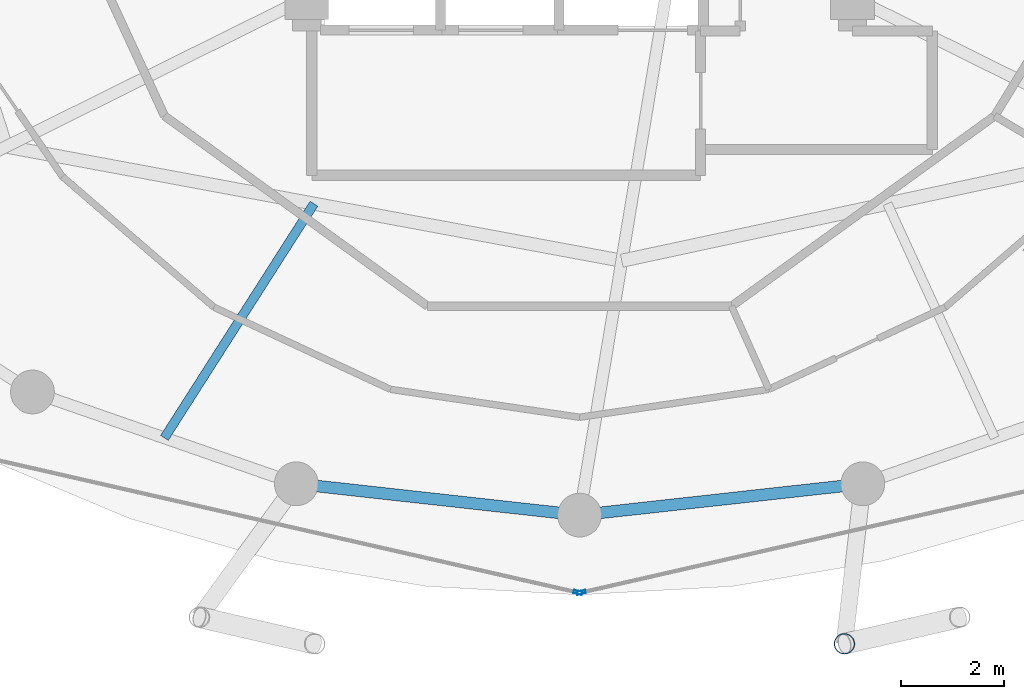
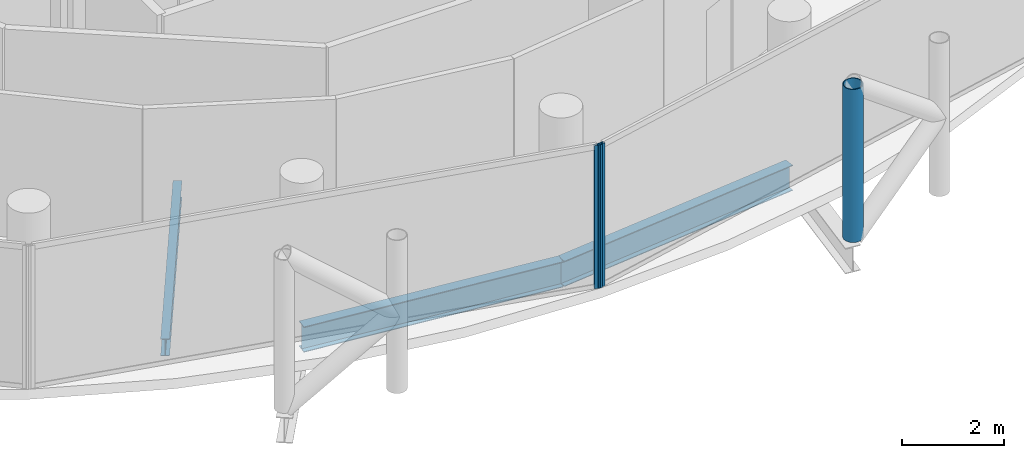
# One storey, part 5 of 27: 3 beams, 3 members, 2 elements without a shape of their own.
"""IFC4 building model written with IfcOpenShell, lengths in metres."""

from ifc_helpers import new_model, si_unit, direction, frame, origin, origin_2d, place, context, subcontext, project, spatial, hollow_rectangle, hollow_circle, i_section, extrude, material, layer, layer_set, material_profile, profile_set, type_object, element, aggregate, save


model = new_model("IFC4")

# Units and contexts
model_context = context("Model", 3, precision=1e-05, world=origin(), true_north=direction((0.0, 1.0)))
body_context = subcontext(model_context, "Body", "Model", "MODEL_VIEW")
ifc_project = project(units=[si_unit("LENGTHUNIT", "METRE"), si_unit("AREAUNIT", "SQUARE_METRE"), si_unit("VOLUMEUNIT", "CUBIC_METRE"), si_unit("PLANEANGLEUNIT", "RADIAN"), si_unit("MASSUNIT", "GRAM", prefix="KILO")], contexts=[model_context])

# Site, building, storey
site_placement = place(None, origin())
site = spatial("IfcSite", under=ifc_project, at=site_placement, CompositionType="ELEMENT")
building_placement = place(site_placement, origin())
building = spatial("IfcBuilding", under=site, at=building_placement, Name="Nuhasar Tower", CompositionType="ELEMENT")
storey_placement = place(building_placement, frame((0.0, 0.0, 211.800048828125)))
storey = spatial("IfcBuildingStorey", under=building, at=storey_placement, Name="L51", CompositionType="ELEMENT", Elevation=211.800048828125)

# Beams
ifc_material_1 = material(Name="Steel S355", Category="steel")
ifc_material_profile_1 = material_profile(ifc_material_1, i_section(OverallWidth=0.177978515625, OverallDepth=0.406005859375, WebThickness=0.0078125, FlangeThickness=0.0126953125, at=origin_2d()), Name="W16X40")
ifc_profile_set_1 = profile_set([ifc_material_profile_1], Name="Steel S355")
beam_type_1 = type_object("IfcBeamType", Name="BM-JST-W16X40", PredefinedType="JOIST", material=ifc_profile_set_1)
beam_placement = place(storey_placement, frame((33.842041015625, 14.998046875, -0.443115234375), z_axis=(-0.538168818546, -0.842837067733, 0.0), x_axis=(0.842837067733, -0.538168818546, 0.0)))
element("IfcBeam", 1, at=beam_placement, inside=storey, type_object=beam_type_1, Name="L51 Secondary Floor Joist 01", PredefinedType="JOIST", context=body_context, shape_type="SweptSolid", body=[
    extrude(i_section(OverallWidth=0.177978515625, OverallDepth=0.406005859375, WebThickness=0.0078125, FlangeThickness=0.0126953125, at=origin_2d()), origin(), (0.0, 0.0, 1.0), 5.396240234375),
])
ifc_material_profile_2 = material_profile(ifc_material_1, i_section(OverallWidth=0.22802734375, OverallDepth=0.60791015625, WebThickness=0.01123046875, FlangeThickness=0.017333984375, at=origin_2d()), Name="W24X76")
ifc_profile_set_2 = profile_set([ifc_material_profile_2], Name="Steel S355")
beam_type_2 = type_object("IfcBeamType", Name="BM-RING-W24X76", PredefinedType="SPANDREL", material=ifc_profile_set_2)
for number, where, z_axis, x_axis, name in (
    (2, (33.5, 9.55810546875, -0.5439453125), (0.993942242238, -0.109903680993, 0.0), (0.109903680993, 0.993942242238, 0.0), "L51 Perimeter Ring Spandrel 18"),
    (3, (39.0, 8.949951171875, -0.5439453125), (0.993942242238, 0.109903680993, 0.0), (-0.109903680993, 0.993942242238, 0.0), "L51 Perimeter Ring Spandrel 19"),
):
    element("IfcBeam", number, at=place(storey_placement, frame(where, z_axis=z_axis, x_axis=x_axis)), inside=storey, type_object=beam_type_2, Name=name, PredefinedType="SPANDREL", context=body_context, shape_type="SweptSolid", body=[
        extrude(i_section(OverallWidth=0.22802734375, OverallDepth=0.60791015625, WebThickness=0.01123046875, FlangeThickness=0.017333984375, at=origin_2d()), origin(), (0.0, 0.0, 1.0), 5.533447265625),
    ])

# Curtain wall, member
ifc_material_2 = material(Name="Aluminium 6063-T6", Category="aluminium")
ifc_layer = layer(ifc_material_2, 0.18994140625)
ifc_layer_set = layer_set([ifc_layer], Name="Aluminium 6063-T6")
curtain_wall_type = type_object("IfcCurtainWallType", Name="CW-Z3-RES", PredefinedType="NOTDEFINED", material=ifc_layer_set)
curtain_wall_1_placement = place(storey_placement, origin())
curtain_wall_1 = element("IfcCurtainWall", 4, at=curtain_wall_1_placement, inside=storey, type_object=curtain_wall_type, Name="L51 Unitised Curtain Wall 09", PredefinedType="NOTDEFINED")
ifc_material_profile_3 = material_profile(ifc_material_2, hollow_rectangle(XDim=0.06494140625, YDim=0.169921875, WallThickness=0.0048828125, at=origin_2d()), Name="CWM-4")
ifc_profile_set_3 = profile_set([ifc_material_profile_3], Name="Aluminium 6063-T6")
member_type_1 = type_object("IfcMemberType", Name="CW-MUL-S4", PredefinedType="MULLION", material=ifc_profile_set_3)
member_1_placement = place(storey_placement, frame((38.96826171875, 7.447265625, 0.0), z_axis=(0.0, 0.0, 1.0), x_axis=(0.222243176313, 0.974991266926, 0.0)))
member_1 = element("IfcMember", 5, at=member_1_placement, type_object=member_type_1, Name="CW-Z3 mullion 2", PredefinedType="MULLION", context=body_context, shape_type="SweptSolid", body=[
    extrude(hollow_rectangle(XDim=0.06494140625, YDim=0.169921875, WallThickness=0.0048828125, at=origin_2d()), origin(), (0.0, 0.0, 1.0), 3.409912109375),
])
aggregate(curtain_wall_1, [member_1])

curtain_wall_2_placement = place(storey_placement, origin())
curtain_wall_2 = element("IfcCurtainWall", 6, at=curtain_wall_2_placement, inside=storey, type_object=curtain_wall_type, Name="L51 Unitised Curtain Wall 10", PredefinedType="NOTDEFINED")
member_2_placement = place(storey_placement, frame((39.03173828125, 7.447265625, 0.0), z_axis=(0.0, 0.0, 1.0), x_axis=(-0.222243176313, 0.974991266926, 0.0)))
member_2 = element("IfcMember", 7, at=member_2_placement, type_object=member_type_1, Name="CW-Z3 mullion 1", PredefinedType="MULLION", context=body_context, shape_type="SweptSolid", body=[
    extrude(hollow_rectangle(XDim=0.06494140625, YDim=0.169921875, WallThickness=0.0048828125, at=origin_2d()), origin(), (0.0, 0.0, 1.0), 3.409912109375),
])
aggregate(curtain_wall_2, [member_2])

# Member
ifc_material_3 = material(Name="Steel S460", Category="steel")
ifc_material_profile_4 = material_profile(ifc_material_3, hollow_circle(Radius=0.203125, WallThickness=0.01904296875, at=origin_2d()), Name="HSS406.4X19.1")
ifc_profile_set_4 = profile_set([ifc_material_profile_4], Name="Steel S460")
member_type_2 = type_object("IfcMemberType", Name="EXO-BRONZE-406", PredefinedType="BRACE", material=ifc_profile_set_4)
member_3_placement = place(storey_placement, frame((44.14306640625, 6.450927734375, 0.0), z_axis=(0.0, 0.0, 1.0), x_axis=(1.0, 0.0, 0.0)))
element("IfcMember", 8, at=member_3_placement, inside=storey, type_object=member_type_2, Name="L51 Exoskeleton Chord Column EC-10A", PredefinedType="BRACE", context=body_context, shape_type="SweptSolid", body=[
    extrude(hollow_circle(Radius=0.203125, WallThickness=0.01904296875, at=origin_2d()), origin(), (0.0, 0.0, 1.0), 3.64990234375),
])

save(model, "model.ifc")
